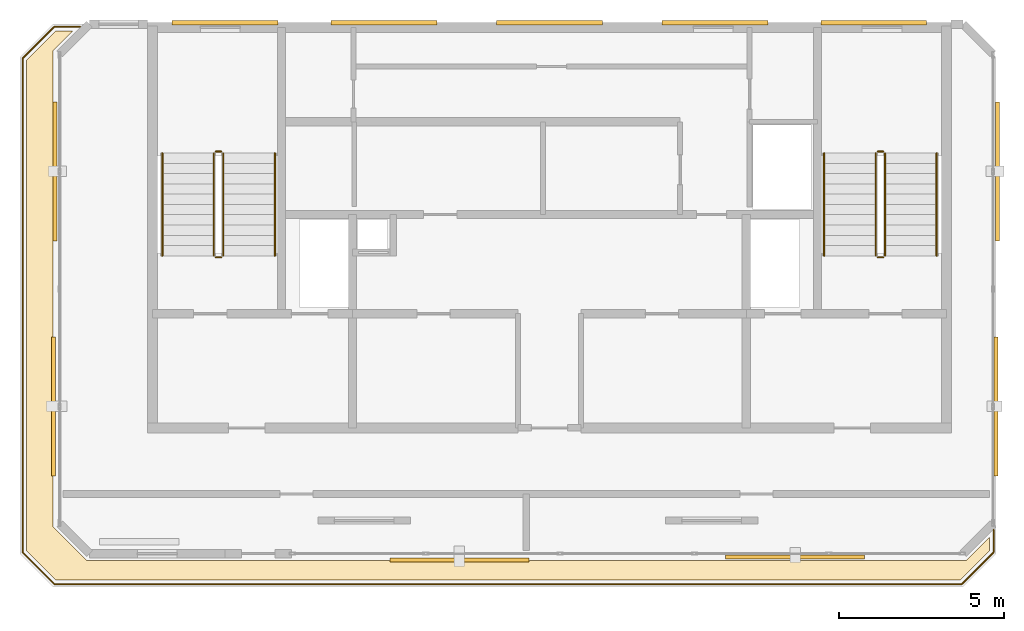
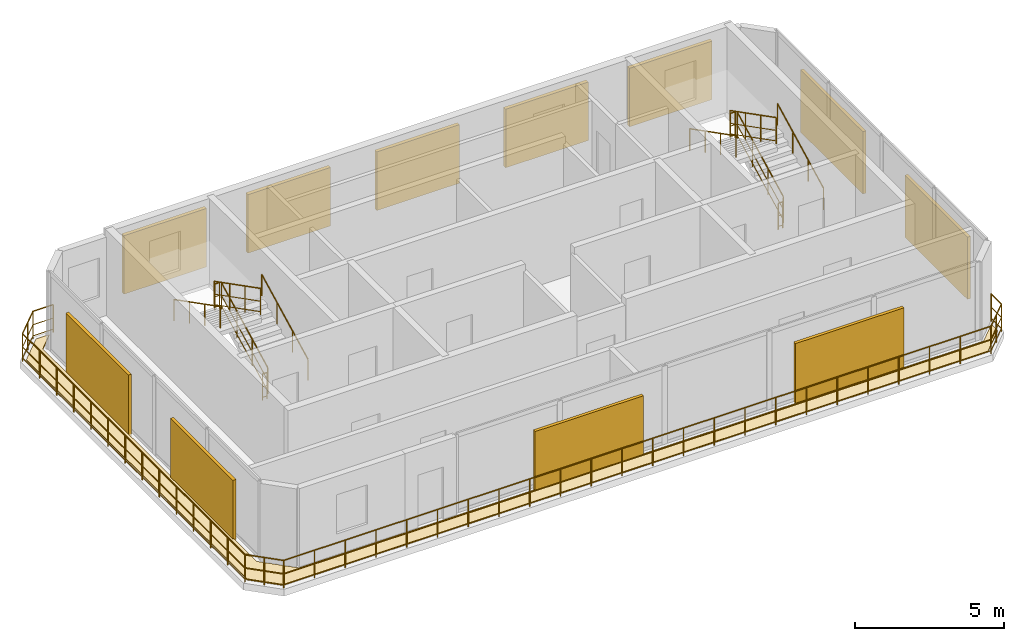
# One storey, part 7 of 7: 14 railings, 11 shading devices, 1 covering.
"""IFC4 building model written with IfcOpenShell, lengths in metres."""

import ifcopenshell
import ifcopenshell.guid

model = None  # the IFC model being written
_history = None  # IfcOwnerHistory: only IFC2X3 demands one
_inside = {}  # id of a spatial element -> (the spatial element, [elements in it])
_under = {}  # id of a project, library or spatial element -> (it, [spatial elements below it])
_declared = {}  # id of a project -> (the project, [libraries it declares])
_typed = {}  # id of a type object -> (the type object, [elements of that type])
_made_of = {}  # id of a material, layer set ... -> (it, [elements and type objects made of it])


def new_model(schema):
    """Start an empty IFC model of exactly this schema.

    Asked for "IFC4X3", IfcOpenShell would pick the latest addendum, in which some entities
    have other attributes; the version numbers below select the first issue.
    IFC2X3 requires an IfcOwnerHistory on every rooted entity: one is made here for all.
    """
    global model, _history
    if schema == "IFC4X3":
        model = ifcopenshell.file(schema_version=(4, 3, 0, 0))
    else:
        model = ifcopenshell.file(schema=schema)
    _inside.clear()
    _under.clear()
    _declared.clear()
    _typed.clear()
    _made_of.clear()
    _history = None
    if model.schema == "IFC2X3":
        org = make("IfcOrganization", Name="unknown")
        user = make(
            "IfcPersonAndOrganization",
            ThePerson=make("IfcPerson", FamilyName="unknown"),
            TheOrganization=org,
        )
        app = make(
            "IfcApplication",
            ApplicationDeveloper=org,
            Version="unknown",
            ApplicationFullName="unknown",
            ApplicationIdentifier="unknown",
        )
        _history = make(
            "IfcOwnerHistory",
            OwningUser=user,
            OwningApplication=app,
            ChangeAction="ADDED",
            CreationDate=0,
        )
    return model


def make(cls, **values):
    """One entity of the class cls with the attributes given. An attribute that is None is left unset."""
    return model.create_entity(
        cls, **{name: value for name, value in values.items() if value is not None}
    )


def rooted(cls, **values):
    """An entity with a GlobalId (a new one), such as an element, a storey or a relation."""
    return make(cls, GlobalId=ifcopenshell.guid.new(), OwnerHistory=_history, **values)


def si_unit(unit_type, name, prefix=None):
    """IfcSIUnit, for example si_unit("LENGTHUNIT", "METRE", prefix="MILLI")."""
    return make("IfcSIUnit", UnitType=unit_type, Prefix=prefix, Name=name)


def assignment(units):
    """IfcUnitAssignment: the units of a project."""
    return None if units is None else make("IfcUnitAssignment", Units=units)


def point(xyz):
    """IfcCartesianPoint."""
    return None if xyz is None else make("IfcCartesianPoint", Coordinates=xyz)


def direction(xyz):
    """IfcDirection."""
    return None if xyz is None else make("IfcDirection", DirectionRatios=xyz)


def frame(location, z_axis=None, x_axis=None):
    """IfcAxis2Placement3D, a coordinate frame: its origin and axes. An axis left out is left unset."""
    return make(
        "IfcAxis2Placement3D",
        Location=point(location),
        Axis=direction(z_axis),
        RefDirection=direction(x_axis),
    )


def frame_2d(location, x_axis=None):
    """IfcAxis2Placement2D, a coordinate frame in the plane: its origin and x axis."""
    return make(
        "IfcAxis2Placement2D", Location=point(location), RefDirection=direction(x_axis)
    )


def origin():
    """The frame at (0, 0, 0) with its axes left unset."""
    return frame((0.0, 0.0, 0.0))


def origin_2d():
    """The frame at (0, 0) in the plane with its x axis left unset."""
    return frame_2d((0.0, 0.0))


def place(relative_to, where):
    """IfcLocalPlacement: puts the frame where relative to a parent placement (None: the world)."""
    return make(
        "IfcLocalPlacement", PlacementRelTo=relative_to, RelativePlacement=where
    )


def context(
    kind, dimensions, precision=None, world=None, true_north=None, identifier=None
):
    """IfcGeometricRepresentationContext, for example the 3D "Model" context."""
    return make(
        "IfcGeometricRepresentationContext",
        ContextIdentifier=identifier,
        ContextType=kind,
        CoordinateSpaceDimension=dimensions,
        Precision=precision,
        WorldCoordinateSystem=world,
        TrueNorth=true_north,
    )


def subcontext(parent, identifier, kind, view, scale=None):
    """IfcGeometricRepresentationSubContext, for example "Body" below "Model"."""
    return make(
        "IfcGeometricRepresentationSubContext",
        ContextIdentifier=identifier,
        ContextType=kind,
        ParentContext=parent,
        TargetScale=scale,
        TargetView=view,
    )


def project(units=None, contexts=None):
    """IfcProject with its units and contexts."""
    return rooted(
        "IfcProject",
        Name="project",
        RepresentationContexts=contexts,
        UnitsInContext=assignment(units),
    )


def spatial(cls, under=None, at=None, **own):
    """A site, building, storey or space (cls), placed at a placement, below another one or the project."""
    s = rooted(cls, ObjectPlacement=at, **own)
    if under is not None:
        _under.setdefault(under.id(), (under, []))[1].append(s)
    return s


def polyline(points):
    """IfcPolyline through the points."""
    return make("IfcPolyline", Points=[point(p) for p in points])


def profile(cls, at=None, kind="AREA", **sizes):
    """A parametric profile (cls). Its sizes go by their IFC names, for example OverallWidth=200.0."""
    return make(cls, ProfileType=kind, Position=at, **sizes)


def rectangle(**sizes):
    """IfcRectangleProfileDef."""
    return profile("IfcRectangleProfileDef", **sizes)


def circle(**sizes):
    """IfcCircleProfileDef."""
    return profile("IfcCircleProfileDef", **sizes)


def outline(outer, holes=None, kind="AREA"):
    """IfcArbitraryClosedProfileDef: a profile drawn as a closed curve; with holes, ...WithVoids."""
    if holes is None:
        return make("IfcArbitraryClosedProfileDef", ProfileType=kind, OuterCurve=outer)
    return make(
        "IfcArbitraryProfileDefWithVoids",
        ProfileType=kind,
        OuterCurve=outer,
        InnerCurves=holes,
    )


def extrude(swept, where, along, depth):
    """IfcExtrudedAreaSolid: the profile swept, set in the frame where, extruded along a direction by depth."""
    return make(
        "IfcExtrudedAreaSolid",
        SweptArea=swept,
        Position=where,
        ExtrudedDirection=direction(along),
        Depth=depth,
    )


def shape(context_of_items, identifier, shape_type, items):
    """IfcShapeRepresentation: the items that make up one representation, for example the "Body"."""
    return make(
        "IfcShapeRepresentation",
        ContextOfItems=context_of_items,
        RepresentationIdentifier=identifier,
        RepresentationType=shape_type,
        Items=items,
    )


def material(Name=None, Category=None):
    """IfcMaterial."""
    return make("IfcMaterial", Name=Name, Category=Category)


def layer(
    of_material, thickness, ventilated=None, Name=None, Category=None, Priority=None
):
    """IfcMaterialLayer: one layer of a wall or slab, of a material (None: an air gap)."""
    return make(
        "IfcMaterialLayer",
        Material=of_material,
        LayerThickness=thickness,
        IsVentilated=ventilated,
        Name=Name,
        Category=Category,
        Priority=Priority,
    )


def layer_set(layers, Name=None):
    """IfcMaterialLayerSet."""
    return make("IfcMaterialLayerSet", MaterialLayers=layers, LayerSetName=Name)


def made_of(thing, what):
    """Note that an element or type object is made of a material, layer set ...; save() writes the relation."""
    if what is not None:
        _made_of.setdefault(what.id(), (what, []))[1].append(thing)
    return thing


def type_object(cls, material=None, **own):
    """A type object (cls), such as IfcWallType, which elements share."""
    return made_of(rooted(cls, **own), material)


def element(
    cls,
    number,
    at=None,
    inside=None,
    cuts=None,
    type_object=None,
    material=None,
    context=None,
    identifier="Body",
    shape_type=None,
    held_by="IfcProductDefinitionShape",
    body=None,
    shapes=None,
    **own,
):
    """One element of the class cls, such as IfcWall. Its Tag is "e" and its number.

    at: its placement. inside: the storey or other place that contains it. cuts: it is an
    opening in that element (IfcRelVoidsElement). A single representation is given by context,
    identifier, shape_type and body (its items); several are given by shapes. held_by: the class
    of the entity that holds the representations. save() writes the other relations.
    """
    e = rooted(cls, Tag="e%d" % number, ObjectPlacement=at, **own)
    if body is not None:
        shapes = [shape(context, identifier, shape_type, body)]
    if shapes is not None:
        e.Representation = make(held_by, Representations=shapes)
    if inside is not None:
        _inside.setdefault(inside.id(), (inside, []))[1].append(e)
    if cuts is not None:
        rooted(
            "IfcRelVoidsElement", RelatingBuildingElement=cuts, RelatedOpeningElement=e
        )
    if type_object is not None:
        _typed.setdefault(type_object.id(), (type_object, []))[1].append(e)
    return made_of(e, material)


def aggregate(whole, parts):
    """IfcRelAggregates: a whole, such as a stair, and the parts it consists of."""
    return rooted("IfcRelAggregates", RelatingObject=whole, RelatedObjects=parts)


def save(model, path):
    """Write the relations noted so far, then the file.

    IfcRelAggregates (storeys below a building ...), IfcRelContainedInSpatialStructure (elements
    in a storey), IfcRelDefinesByType, IfcRelAssociatesMaterial and IfcRelDeclares: one each for
    every whole, place, type object, material and project.
    """
    for whole, parts in _under.values():
        aggregate(whole, parts)
    for where, things in _inside.values():
        rooted(
            "IfcRelContainedInSpatialStructure",
            RelatedElements=things,
            RelatingStructure=where,
        )
    for kind, things in _typed.values():
        rooted("IfcRelDefinesByType", RelatedObjects=things, RelatingType=kind)
    for what, things in _made_of.values():
        rooted("IfcRelAssociatesMaterial", RelatedObjects=things, RelatingMaterial=what)
    for by, libraries in _declared.values():
        rooted("IfcRelDeclares", RelatingContext=by, RelatedDefinitions=libraries)
    model.write(path)


model = new_model("IFC4")

# Units and contexts
model_context = context("Model", 3, precision=1e-05, world=origin(), true_north=direction((0.0, 1.0)))
body_context = subcontext(model_context, "Body", "Model", "MODEL_VIEW")
ifc_project = project(units=[si_unit("LENGTHUNIT", "METRE"), si_unit("AREAUNIT", "SQUARE_METRE"), si_unit("VOLUMEUNIT", "CUBIC_METRE"), si_unit("PLANEANGLEUNIT", "RADIAN"), si_unit("MASSUNIT", "GRAM", prefix="KILO")], contexts=[model_context])

# Site, building, storey
site_placement = place(None, origin())
site = spatial("IfcSite", under=ifc_project, at=site_placement, CompositionType="ELEMENT")
building_placement = place(site_placement, origin())
building = spatial("IfcBuilding", under=site, at=building_placement, Name="Catumbela Crestline Tower", CompositionType="ELEMENT")
storey_placement = place(building_placement, frame((0.0, 0.0, 308.0)))
storey = spatial("IfcBuildingStorey", under=building, at=storey_placement, Name="L79", CompositionType="ELEMENT", Elevation=308.0)

# Covering
ifc_material_1 = material(Name="Polymer-modified bitumen and XPS roof membrane")
ifc_layer = layer(ifc_material_1, 0.05, Name="Polymer-modified bitumen and XPS roof membrane")
ifc_layer_set = layer_set([ifc_layer], Name="Polymer-modified bitumen and XPS roof membrane")
covering_type = type_object("IfcCoveringType", Name="CR-MEM", PredefinedType="ROOFING", material=ifc_layer_set)
covering_placement = place(storey_placement, origin())
element("IfcCovering", 1, at=covering_placement, inside=storey, type_object=covering_type, Name="L79 Crown Terrace Waterproofing Membrane 3", PredefinedType="ROOFING", context=body_context, shape_type="SweptSolid", body=[
    extrude(outline(polyline([(41.3, 27.0828), (40.4172, 26.2), (13.0828, 26.2), (12.2, 27.0828), (12.2, 41.9172), (13.0828, 42.8), (13.603, 42.8), (12.99, 42.187), (12.99, 27.813), (14.013, 26.79), (40.587, 26.79), (41.3, 27.503), (41.3, 27.0828)])), origin(), (0.0, 0.0, 1.0), 0.05),
])

# Railings
ifc_material_2 = material(Name="Stainless steel EN 1.4401", Category="steel")
railing_type_1 = type_object("IfcRailingType", Name="RG-1100", PredefinedType="GUARDRAIL", material=ifc_material_2)
railing_1_placement = place(storey_placement, frame((18.14, 36.0, 0.1591)))
element("IfcRailing", 2, at=railing_1_placement, inside=storey, type_object=railing_type_1, Name="L79 ST-01 stair guard 1", PredefinedType="GUARDRAIL", context=body_context, shape_type="SweptSolid", body=[
    extrude(circle(Radius=0.024, at=origin_2d()), frame((0.0, 0.0, 1.076), z_axis=(0.0, 0.889682666616, 0.456579404619), x_axis=(-1.0, 0.0, 0.0)), (0.0, 0.0, 1.0), 3.4844),
    extrude(circle(Radius=0.0156, at=origin_2d()), frame((0.0, 0.0, 0.55), z_axis=(0.0, 0.889682666616, 0.456579404619), x_axis=(-1.0, 0.0, 0.0)), (0.0, 0.0, 1.0), 3.4844),
    extrude(circle(Radius=0.0156, at=origin_2d()), frame((0.0, 0.0, 0.12), z_axis=(0.0, 0.889682666616, 0.456579404619), x_axis=(-1.0, 0.0, 0.0)), (0.0, 0.0, 1.0), 3.4844),
    extrude(circle(Radius=0.021, at=origin_2d()), origin(), (0.0, 0.0, 1.0), 1.052),
    extrude(circle(Radius=0.021, at=origin_2d()), frame((0.0, 1.0333, 0.5303)), (0.0, 0.0, 1.0), 1.052),
    extrude(circle(Radius=0.021, at=origin_2d()), frame((0.0, 2.0667, 1.0606)), (0.0, 0.0, 1.0), 1.052),
    extrude(circle(Radius=0.021, at=origin_2d()), frame((0.0, 3.1, 1.5909)), (0.0, 0.0, 1.0), 1.052),
])
railing_2_placement = place(storey_placement, frame((18.09, 39.15, 1.75)))
element("IfcRailing", 3, at=railing_2_placement, inside=storey, type_object=railing_type_1, Name="L79 ST-01 stair guard 2", PredefinedType="GUARDRAIL", context=body_context, shape_type="SweptSolid", body=[
    extrude(circle(Radius=0.024, at=origin_2d()), frame((0.0, 0.0, 1.076), z_axis=(-1.0, 0.0, 0.0), x_axis=(0.0, -1.0, 0.0)), (0.0, 0.0, 1.0), 0.18),
    extrude(circle(Radius=0.0156, at=origin_2d()), frame((0.0, 0.0, 0.55), z_axis=(-1.0, 0.0, 0.0), x_axis=(0.0, -1.0, 0.0)), (0.0, 0.0, 1.0), 0.18),
    extrude(circle(Radius=0.0156, at=origin_2d()), frame((0.0, 0.0, 0.12), z_axis=(-1.0, 0.0, 0.0), x_axis=(0.0, -1.0, 0.0)), (0.0, 0.0, 1.0), 0.18),
    extrude(circle(Radius=0.021, at=origin_2d()), origin(), (0.0, 0.0, 1.0), 1.052),
    extrude(circle(Radius=0.021, at=origin_2d()), frame((-0.18, 0.0, 0.0)), (0.0, 0.0, 1.0), 1.052),
])
railing_3_placement = place(storey_placement, frame((17.86, 39.1, 1.9091)))
element("IfcRailing", 4, at=railing_3_placement, inside=storey, type_object=railing_type_1, Name="L79 ST-01 stair guard 3", PredefinedType="GUARDRAIL", context=body_context, shape_type="SweptSolid", body=[
    extrude(circle(Radius=0.024, at=origin_2d()), frame((0.0, 0.0, 1.076), z_axis=(0.0, -0.889682666616, 0.456579404619), x_axis=(1.0, 0.0, 0.0)), (0.0, 0.0, 1.0), 3.4844),
    extrude(circle(Radius=0.0156, at=origin_2d()), frame((0.0, 0.0, 0.55), z_axis=(0.0, -0.889682666616, 0.456579404619), x_axis=(1.0, 0.0, 0.0)), (0.0, 0.0, 1.0), 3.4844),
    extrude(circle(Radius=0.0156, at=origin_2d()), frame((0.0, 0.0, 0.12), z_axis=(0.0, -0.889682666616, 0.456579404619), x_axis=(1.0, 0.0, 0.0)), (0.0, 0.0, 1.0), 3.4844),
    extrude(circle(Radius=0.021, at=origin_2d()), origin(), (0.0, 0.0, 1.0), 1.052),
    extrude(circle(Radius=0.021, at=origin_2d()), frame((0.0, -1.0333, 0.5303)), (0.0, 0.0, 1.0), 1.052),
    extrude(circle(Radius=0.021, at=origin_2d()), frame((0.0, -2.0667, 1.0606)), (0.0, 0.0, 1.0), 1.052),
    extrude(circle(Radius=0.021, at=origin_2d()), frame((0.0, -3.1, 1.5909)), (0.0, 0.0, 1.0), 1.052),
])
railing_4_placement = place(storey_placement, frame((18.09, 35.95, 0.0)))
element("IfcRailing", 5, at=railing_4_placement, inside=storey, type_object=railing_type_1, Name="L79 ST-01 stair guard 4", PredefinedType="GUARDRAIL", context=body_context, shape_type="SweptSolid", body=[
    extrude(circle(Radius=0.024, at=origin_2d()), frame((0.0, 0.0, 1.076), z_axis=(-1.0, 0.0, 0.0), x_axis=(0.0, -1.0, 0.0)), (0.0, 0.0, 1.0), 0.18),
    extrude(circle(Radius=0.0156, at=origin_2d()), frame((0.0, 0.0, 0.55), z_axis=(-1.0, 0.0, 0.0), x_axis=(0.0, -1.0, 0.0)), (0.0, 0.0, 1.0), 0.18),
    extrude(circle(Radius=0.0156, at=origin_2d()), frame((0.0, 0.0, 0.12), z_axis=(-1.0, 0.0, 0.0), x_axis=(0.0, -1.0, 0.0)), (0.0, 0.0, 1.0), 0.18),
    extrude(circle(Radius=0.021, at=origin_2d()), origin(), (0.0, 0.0, 1.0), 1.052),
    extrude(circle(Radius=0.021, at=origin_2d()), frame((-0.18, 0.0, 0.0)), (0.0, 0.0, 1.0), 1.052),
])
railing_5_placement = place(storey_placement, frame((38.14, 36.0, 0.1591)))
element("IfcRailing", 6, at=railing_5_placement, inside=storey, type_object=railing_type_1, Name="L79 ST-02 stair guard 1", PredefinedType="GUARDRAIL", context=body_context, shape_type="SweptSolid", body=[
    extrude(circle(Radius=0.024, at=origin_2d()), frame((0.0, 0.0, 1.076), z_axis=(0.0, 0.889682666616, 0.456579404619), x_axis=(-1.0, 0.0, 0.0)), (0.0, 0.0, 1.0), 3.4844),
    extrude(circle(Radius=0.0156, at=origin_2d()), frame((0.0, 0.0, 0.55), z_axis=(0.0, 0.889682666616, 0.456579404619), x_axis=(-1.0, 0.0, 0.0)), (0.0, 0.0, 1.0), 3.4844),
    extrude(circle(Radius=0.0156, at=origin_2d()), frame((0.0, 0.0, 0.12), z_axis=(0.0, 0.889682666616, 0.456579404619), x_axis=(-1.0, 0.0, 0.0)), (0.0, 0.0, 1.0), 3.4844),
    extrude(circle(Radius=0.021, at=origin_2d()), origin(), (0.0, 0.0, 1.0), 1.052),
    extrude(circle(Radius=0.021, at=origin_2d()), frame((0.0, 1.0333, 0.5303)), (0.0, 0.0, 1.0), 1.052),
    extrude(circle(Radius=0.021, at=origin_2d()), frame((0.0, 2.0667, 1.0606)), (0.0, 0.0, 1.0), 1.052),
    extrude(circle(Radius=0.021, at=origin_2d()), frame((0.0, 3.1, 1.5909)), (0.0, 0.0, 1.0), 1.052),
])
railing_6_placement = place(storey_placement, frame((38.09, 39.15, 1.75)))
element("IfcRailing", 7, at=railing_6_placement, inside=storey, type_object=railing_type_1, Name="L79 ST-02 stair guard 2", PredefinedType="GUARDRAIL", context=body_context, shape_type="SweptSolid", body=[
    extrude(circle(Radius=0.024, at=origin_2d()), frame((0.0, 0.0, 1.076), z_axis=(-1.0, 0.0, 0.0), x_axis=(0.0, -1.0, 0.0)), (0.0, 0.0, 1.0), 0.18),
    extrude(circle(Radius=0.0156, at=origin_2d()), frame((0.0, 0.0, 0.55), z_axis=(-1.0, 0.0, 0.0), x_axis=(0.0, -1.0, 0.0)), (0.0, 0.0, 1.0), 0.18),
    extrude(circle(Radius=0.0156, at=origin_2d()), frame((0.0, 0.0, 0.12), z_axis=(-1.0, 0.0, 0.0), x_axis=(0.0, -1.0, 0.0)), (0.0, 0.0, 1.0), 0.18),
    extrude(circle(Radius=0.021, at=origin_2d()), origin(), (0.0, 0.0, 1.0), 1.052),
    extrude(circle(Radius=0.021, at=origin_2d()), frame((-0.18, 0.0, 0.0)), (0.0, 0.0, 1.0), 1.052),
])
railing_7_placement = place(storey_placement, frame((37.86, 39.1, 1.9091)))
element("IfcRailing", 8, at=railing_7_placement, inside=storey, type_object=railing_type_1, Name="L79 ST-02 stair guard 3", PredefinedType="GUARDRAIL", context=body_context, shape_type="SweptSolid", body=[
    extrude(circle(Radius=0.024, at=origin_2d()), frame((0.0, 0.0, 1.076), z_axis=(0.0, -0.889682666616, 0.456579404619), x_axis=(1.0, 0.0, 0.0)), (0.0, 0.0, 1.0), 3.4844),
    extrude(circle(Radius=0.0156, at=origin_2d()), frame((0.0, 0.0, 0.55), z_axis=(0.0, -0.889682666616, 0.456579404619), x_axis=(1.0, 0.0, 0.0)), (0.0, 0.0, 1.0), 3.4844),
    extrude(circle(Radius=0.0156, at=origin_2d()), frame((0.0, 0.0, 0.12), z_axis=(0.0, -0.889682666616, 0.456579404619), x_axis=(1.0, 0.0, 0.0)), (0.0, 0.0, 1.0), 3.4844),
    extrude(circle(Radius=0.021, at=origin_2d()), origin(), (0.0, 0.0, 1.0), 1.052),
    extrude(circle(Radius=0.021, at=origin_2d()), frame((0.0, -1.0333, 0.5303)), (0.0, 0.0, 1.0), 1.052),
    extrude(circle(Radius=0.021, at=origin_2d()), frame((0.0, -2.0667, 1.0606)), (0.0, 0.0, 1.0), 1.052),
    extrude(circle(Radius=0.021, at=origin_2d()), frame((0.0, -3.1, 1.5909)), (0.0, 0.0, 1.0), 1.052),
])
railing_8_placement = place(storey_placement, frame((38.09, 35.95, 0.0)))
element("IfcRailing", 9, at=railing_8_placement, inside=storey, type_object=railing_type_1, Name="L79 ST-02 stair guard 4", PredefinedType="GUARDRAIL", context=body_context, shape_type="SweptSolid", body=[
    extrude(circle(Radius=0.024, at=origin_2d()), frame((0.0, 0.0, 1.076), z_axis=(-1.0, 0.0, 0.0), x_axis=(0.0, -1.0, 0.0)), (0.0, 0.0, 1.0), 0.18),
    extrude(circle(Radius=0.0156, at=origin_2d()), frame((0.0, 0.0, 0.55), z_axis=(-1.0, 0.0, 0.0), x_axis=(0.0, -1.0, 0.0)), (0.0, 0.0, 1.0), 0.18),
    extrude(circle(Radius=0.0156, at=origin_2d()), frame((0.0, 0.0, 0.12), z_axis=(-1.0, 0.0, 0.0), x_axis=(0.0, -1.0, 0.0)), (0.0, 0.0, 1.0), 0.18),
    extrude(circle(Radius=0.021, at=origin_2d()), origin(), (0.0, 0.0, 1.0), 1.052),
    extrude(circle(Radius=0.021, at=origin_2d()), frame((-0.18, 0.0, 0.0)), (0.0, 0.0, 1.0), 1.052),
])
railing_type_2 = type_object("IfcRailingType", Name="RH-0900", PredefinedType="HANDRAIL", material=ifc_material_2)
railing_9_placement = place(storey_placement, frame((19.7, 36.0, 0.1591)))
element("IfcRailing", 10, at=railing_9_placement, inside=storey, type_object=railing_type_2, Name="L79 ST-01 stair handrail 1", PredefinedType="HANDRAIL", context=body_context, shape_type="SweptSolid", body=[
    extrude(circle(Radius=0.024, at=origin_2d()), frame((0.0, 0.0, 0.876), z_axis=(0.0, 0.889682666616, 0.456579404619), x_axis=(-1.0, 0.0, 0.0)), (0.0, 0.0, 1.0), 3.4844),
    extrude(circle(Radius=0.021, at=origin_2d()), origin(), (0.0, 0.0, 1.0), 0.852),
    extrude(circle(Radius=0.021, at=origin_2d()), frame((0.0, 1.0333, 0.5303)), (0.0, 0.0, 1.0), 0.852),
    extrude(circle(Radius=0.021, at=origin_2d()), frame((0.0, 2.0667, 1.0606)), (0.0, 0.0, 1.0), 0.852),
    extrude(circle(Radius=0.021, at=origin_2d()), frame((0.0, 3.1, 1.5909)), (0.0, 0.0, 1.0), 0.852),
])
railing_10_placement = place(storey_placement, frame((16.3, 39.1, 1.9091)))
element("IfcRailing", 11, at=railing_10_placement, inside=storey, type_object=railing_type_2, Name="L79 ST-01 stair handrail 2", PredefinedType="HANDRAIL", context=body_context, shape_type="SweptSolid", body=[
    extrude(circle(Radius=0.024, at=origin_2d()), frame((0.0, 0.0, 0.876), z_axis=(0.0, -0.889682666616, 0.456579404619), x_axis=(1.0, 0.0, 0.0)), (0.0, 0.0, 1.0), 3.4844),
    extrude(circle(Radius=0.021, at=origin_2d()), origin(), (0.0, 0.0, 1.0), 0.852),
    extrude(circle(Radius=0.021, at=origin_2d()), frame((0.0, -1.0333, 0.5303)), (0.0, 0.0, 1.0), 0.852),
    extrude(circle(Radius=0.021, at=origin_2d()), frame((0.0, -2.0667, 1.0606)), (0.0, 0.0, 1.0), 0.852),
    extrude(circle(Radius=0.021, at=origin_2d()), frame((0.0, -3.1, 1.5909)), (0.0, 0.0, 1.0), 0.852),
])
railing_11_placement = place(storey_placement, frame((39.7, 36.0, 0.1591)))
element("IfcRailing", 12, at=railing_11_placement, inside=storey, type_object=railing_type_2, Name="L79 ST-02 stair handrail 1", PredefinedType="HANDRAIL", context=body_context, shape_type="SweptSolid", body=[
    extrude(circle(Radius=0.024, at=origin_2d()), frame((0.0, 0.0, 0.876), z_axis=(0.0, 0.889682666616, 0.456579404619), x_axis=(-1.0, 0.0, 0.0)), (0.0, 0.0, 1.0), 3.4844),
    extrude(circle(Radius=0.021, at=origin_2d()), origin(), (0.0, 0.0, 1.0), 0.852),
    extrude(circle(Radius=0.021, at=origin_2d()), frame((0.0, 1.0333, 0.5303)), (0.0, 0.0, 1.0), 0.852),
    extrude(circle(Radius=0.021, at=origin_2d()), frame((0.0, 2.0667, 1.0606)), (0.0, 0.0, 1.0), 0.852),
    extrude(circle(Radius=0.021, at=origin_2d()), frame((0.0, 3.1, 1.5909)), (0.0, 0.0, 1.0), 0.852),
])
railing_12_placement = place(storey_placement, frame((36.3, 39.1, 1.9091)))
element("IfcRailing", 13, at=railing_12_placement, inside=storey, type_object=railing_type_2, Name="L79 ST-02 stair handrail 2", PredefinedType="HANDRAIL", context=body_context, shape_type="SweptSolid", body=[
    extrude(circle(Radius=0.024, at=origin_2d()), frame((0.0, 0.0, 0.876), z_axis=(0.0, -0.889682666616, 0.456579404619), x_axis=(1.0, 0.0, 0.0)), (0.0, 0.0, 1.0), 3.4844),
    extrude(circle(Radius=0.021, at=origin_2d()), origin(), (0.0, 0.0, 1.0), 0.852),
    extrude(circle(Radius=0.021, at=origin_2d()), frame((0.0, -1.0333, 0.5303)), (0.0, 0.0, 1.0), 0.852),
    extrude(circle(Radius=0.021, at=origin_2d()), frame((0.0, -2.0667, 1.0606)), (0.0, 0.0, 1.0), 0.852),
    extrude(circle(Radius=0.021, at=origin_2d()), frame((0.0, -3.1, 1.5909)), (0.0, 0.0, 1.0), 0.852),
])
railing_type_3 = type_object("IfcRailingType", Name="RT-1150", PredefinedType="BALUSTRADE", material=ifc_material_2)
railing_13_placement = place(storey_placement, frame((41.42, 27.0331, 0.0)))
element("IfcRailing", 14, at=railing_13_placement, inside=storey, type_object=railing_type_3, Name="L79 Stepped Terrace Balustrade 1-1", PredefinedType="BALUSTRADE", context=body_context, shape_type="SweptSolid", body=[
    extrude(circle(Radius=0.024, at=origin_2d()), frame((0.0, 0.0, 1.126), z_axis=(-0.707106781187, -0.707106781187, 0.0), x_axis=(0.707106781187, -0.707106781187, 0.0)), (0.0, 0.0, 1.0), 1.3479),
    extrude(circle(Radius=0.0156, at=origin_2d()), frame((0.0, 0.0, 0.575), z_axis=(-0.707106781187, -0.707106781187, 0.0), x_axis=(0.707106781187, -0.707106781187, 0.0)), (0.0, 0.0, 1.0), 1.3479),
    extrude(circle(Radius=0.0156, at=origin_2d()), frame((0.0, 0.0, 0.12), z_axis=(-0.707106781187, -0.707106781187, 0.0), x_axis=(0.707106781187, -0.707106781187, 0.0)), (0.0, 0.0, 1.0), 1.3479),
    extrude(circle(Radius=0.024, at=origin_2d()), frame((-0.9531, -0.9531, 1.126), z_axis=(-1.0, 0.0, 0.0), x_axis=(0.0, -1.0, 0.0)), (0.0, 0.0, 1.0), 27.4338),
    extrude(circle(Radius=0.0156, at=origin_2d()), frame((-0.9531, -0.9531, 0.575), z_axis=(-1.0, 0.0, 0.0), x_axis=(0.0, -1.0, 0.0)), (0.0, 0.0, 1.0), 27.4338),
    extrude(circle(Radius=0.0156, at=origin_2d()), frame((-0.9531, -0.9531, 0.12), z_axis=(-1.0, 0.0, 0.0), x_axis=(0.0, -1.0, 0.0)), (0.0, 0.0, 1.0), 27.4338),
    extrude(circle(Radius=0.024, at=origin_2d()), frame((-28.3869, -0.9531, 1.126), z_axis=(-0.707106781187, 0.707106781187, 0.0), x_axis=(-0.707106781187, -0.707106781187, 0.0)), (0.0, 0.0, 1.0), 1.3479),
    extrude(circle(Radius=0.0156, at=origin_2d()), frame((-28.3869, -0.9531, 0.575), z_axis=(-0.707106781187, 0.707106781187, 0.0), x_axis=(-0.707106781187, -0.707106781187, 0.0)), (0.0, 0.0, 1.0), 1.3479),
    extrude(circle(Radius=0.0156, at=origin_2d()), frame((-28.3869, -0.9531, 0.12), z_axis=(-0.707106781187, 0.707106781187, 0.0), x_axis=(-0.707106781187, -0.707106781187, 0.0)), (0.0, 0.0, 1.0), 1.3479),
    extrude(circle(Radius=0.024, at=origin_2d()), frame((-29.34, 0.0, 1.126), z_axis=(0.0, 1.0, 0.0), x_axis=(-1.0, 0.0, 0.0)), (0.0, 0.0, 1.0), 14.9338),
    extrude(circle(Radius=0.0156, at=origin_2d()), frame((-29.34, 0.0, 0.575), z_axis=(0.0, 1.0, 0.0), x_axis=(-1.0, 0.0, 0.0)), (0.0, 0.0, 1.0), 14.9338),
    extrude(circle(Radius=0.0156, at=origin_2d()), frame((-29.34, 0.0, 0.12), z_axis=(0.0, 1.0, 0.0), x_axis=(-1.0, 0.0, 0.0)), (0.0, 0.0, 1.0), 14.9338),
    extrude(circle(Radius=0.024, at=origin_2d()), frame((-29.34, 14.9338, 1.126), z_axis=(0.707106781187, 0.707106781187, 0.0), x_axis=(-0.707106781187, 0.707106781187, 0.0)), (0.0, 0.0, 1.0), 1.3479),
    extrude(circle(Radius=0.0156, at=origin_2d()), frame((-29.34, 14.9338, 0.575), z_axis=(0.707106781187, 0.707106781187, 0.0), x_axis=(-0.707106781187, 0.707106781187, 0.0)), (0.0, 0.0, 1.0), 1.3479),
    extrude(circle(Radius=0.0156, at=origin_2d()), frame((-29.34, 14.9338, 0.12), z_axis=(0.707106781187, 0.707106781187, 0.0), x_axis=(-0.707106781187, 0.707106781187, 0.0)), (0.0, 0.0, 1.0), 1.3479),
    extrude(circle(Radius=0.024, at=origin_2d()), frame((-28.3869, 15.8869, 1.126), z_axis=(1.0, 0.0, 0.0), x_axis=(0.0, 1.0, 0.0)), (0.0, 0.0, 1.0), 0.7889),
    extrude(circle(Radius=0.0156, at=origin_2d()), frame((-28.3869, 15.8869, 0.575), z_axis=(1.0, 0.0, 0.0), x_axis=(0.0, 1.0, 0.0)), (0.0, 0.0, 1.0), 0.7889),
    extrude(circle(Radius=0.0156, at=origin_2d()), frame((-28.3869, 15.8869, 0.12), z_axis=(1.0, 0.0, 0.0), x_axis=(0.0, 1.0, 0.0)), (0.0, 0.0, 1.0), 0.7889),
    extrude(circle(Radius=0.021, at=origin_2d()), origin(), (0.0, 0.0, 1.0), 1.102),
    extrude(circle(Radius=0.021, at=origin_2d()), frame((-0.4765, -0.4766, 0.0)), (0.0, 0.0, 1.0), 1.102),
    extrude(circle(Radius=0.021, at=origin_2d()), frame((-0.9531, -0.9531, 0.0)), (0.0, 0.0, 1.0), 1.102),
    extrude(circle(Radius=0.021, at=origin_2d()), frame((-2.1459, -0.9531, 0.0)), (0.0, 0.0, 1.0), 1.102),
    extrude(circle(Radius=0.021, at=origin_2d()), frame((-3.3386, -0.9531, 0.0)), (0.0, 0.0, 1.0), 1.102),
    extrude(circle(Radius=0.021, at=origin_2d()), frame((-4.5314, -0.9531, 0.0)), (0.0, 0.0, 1.0), 1.102),
    extrude(circle(Radius=0.021, at=origin_2d()), frame((-5.7242, -0.9531, 0.0)), (0.0, 0.0, 1.0), 1.102),
    extrude(circle(Radius=0.021, at=origin_2d()), frame((-6.917, -0.9531, 0.0)), (0.0, 0.0, 1.0), 1.102),
    extrude(circle(Radius=0.021, at=origin_2d()), frame((-8.1097, -0.9531, 0.0)), (0.0, 0.0, 1.0), 1.102),
    extrude(circle(Radius=0.021, at=origin_2d()), frame((-9.3025, -0.9531, 0.0)), (0.0, 0.0, 1.0), 1.102),
    extrude(circle(Radius=0.021, at=origin_2d()), frame((-10.4953, -0.9531, 0.0)), (0.0, 0.0, 1.0), 1.102),
    extrude(circle(Radius=0.021, at=origin_2d()), frame((-11.6881, -0.9531, 0.0)), (0.0, 0.0, 1.0), 1.102),
    extrude(circle(Radius=0.021, at=origin_2d()), frame((-12.8808, -0.9531, 0.0)), (0.0, 0.0, 1.0), 1.102),
    extrude(circle(Radius=0.021, at=origin_2d()), frame((-14.0736, -0.9531, 0.0)), (0.0, 0.0, 1.0), 1.102),
    extrude(circle(Radius=0.021, at=origin_2d()), frame((-15.2664, -0.9531, 0.0)), (0.0, 0.0, 1.0), 1.102),
    extrude(circle(Radius=0.021, at=origin_2d()), frame((-16.4592, -0.9531, 0.0)), (0.0, 0.0, 1.0), 1.102),
    extrude(circle(Radius=0.021, at=origin_2d()), frame((-17.6519, -0.9531, 0.0)), (0.0, 0.0, 1.0), 1.102),
    extrude(circle(Radius=0.021, at=origin_2d()), frame((-18.8447, -0.9531, 0.0)), (0.0, 0.0, 1.0), 1.102),
    extrude(circle(Radius=0.021, at=origin_2d()), frame((-20.0375, -0.9531, 0.0)), (0.0, 0.0, 1.0), 1.102),
    extrude(circle(Radius=0.021, at=origin_2d()), frame((-21.2303, -0.9531, 0.0)), (0.0, 0.0, 1.0), 1.102),
    extrude(circle(Radius=0.021, at=origin_2d()), frame((-22.423, -0.9531, 0.0)), (0.0, 0.0, 1.0), 1.102),
    extrude(circle(Radius=0.021, at=origin_2d()), frame((-23.6158, -0.9531, 0.0)), (0.0, 0.0, 1.0), 1.102),
    extrude(circle(Radius=0.021, at=origin_2d()), frame((-24.8086, -0.9531, 0.0)), (0.0, 0.0, 1.0), 1.102),
    extrude(circle(Radius=0.021, at=origin_2d()), frame((-26.0014, -0.9531, 0.0)), (0.0, 0.0, 1.0), 1.102),
    extrude(circle(Radius=0.021, at=origin_2d()), frame((-27.1941, -0.9531, 0.0)), (0.0, 0.0, 1.0), 1.102),
    extrude(circle(Radius=0.021, at=origin_2d()), frame((-28.3869, -0.9531, 0.0)), (0.0, 0.0, 1.0), 1.102),
    extrude(circle(Radius=0.021, at=origin_2d()), frame((-28.8635, -0.4766, 0.0)), (0.0, 0.0, 1.0), 1.102),
    extrude(circle(Radius=0.021, at=origin_2d()), frame((-29.34, 0.0, 0.0)), (0.0, 0.0, 1.0), 1.102),
    extrude(circle(Radius=0.021, at=origin_2d()), frame((-29.34, 1.1488, 0.0)), (0.0, 0.0, 1.0), 1.102),
    extrude(circle(Radius=0.021, at=origin_2d()), frame((-29.34, 2.2975, 0.0)), (0.0, 0.0, 1.0), 1.102),
    extrude(circle(Radius=0.021, at=origin_2d()), frame((-29.34, 3.4463, 0.0)), (0.0, 0.0, 1.0), 1.102),
    extrude(circle(Radius=0.021, at=origin_2d()), frame((-29.34, 4.595, 0.0)), (0.0, 0.0, 1.0), 1.102),
    extrude(circle(Radius=0.021, at=origin_2d()), frame((-29.34, 5.7438, 0.0)), (0.0, 0.0, 1.0), 1.102),
    extrude(circle(Radius=0.021, at=origin_2d()), frame((-29.34, 6.8925, 0.0)), (0.0, 0.0, 1.0), 1.102),
    extrude(circle(Radius=0.021, at=origin_2d()), frame((-29.34, 8.0413, 0.0)), (0.0, 0.0, 1.0), 1.102),
    extrude(circle(Radius=0.021, at=origin_2d()), frame((-29.34, 9.19, 0.0)), (0.0, 0.0, 1.0), 1.102),
    extrude(circle(Radius=0.021, at=origin_2d()), frame((-29.34, 10.3388, 0.0)), (0.0, 0.0, 1.0), 1.102),
    extrude(circle(Radius=0.021, at=origin_2d()), frame((-29.34, 11.4875, 0.0)), (0.0, 0.0, 1.0), 1.102),
    extrude(circle(Radius=0.021, at=origin_2d()), frame((-29.34, 12.6363, 0.0)), (0.0, 0.0, 1.0), 1.102),
    extrude(circle(Radius=0.021, at=origin_2d()), frame((-29.34, 13.785, 0.0)), (0.0, 0.0, 1.0), 1.102),
    extrude(circle(Radius=0.021, at=origin_2d()), frame((-29.34, 14.9338, 0.0)), (0.0, 0.0, 1.0), 1.102),
    extrude(circle(Radius=0.021, at=origin_2d()), frame((-28.8635, 15.4104, 0.0)), (0.0, 0.0, 1.0), 1.102),
    extrude(circle(Radius=0.021, at=origin_2d()), frame((-28.3869, 15.8869, 0.0)), (0.0, 0.0, 1.0), 1.102),
    extrude(circle(Radius=0.021, at=origin_2d()), frame((-27.598, 15.8869, 0.0)), (0.0, 0.0, 1.0), 1.102),
])
railing_14_placement = place(storey_placement, frame((41.42, 27.722, 0.0)))
element("IfcRailing", 15, at=railing_14_placement, inside=storey, type_object=railing_type_3, Name="L79 Stepped Terrace Balustrade 1-2", PredefinedType="BALUSTRADE", context=body_context, shape_type="SweptSolid", body=[
    extrude(circle(Radius=0.024, at=origin_2d()), frame((0.0, 0.0, 1.126), z_axis=(0.0, -1.0, 0.0), x_axis=(1.0, 0.0, 0.0)), (0.0, 0.0, 1.0), 0.6889),
    extrude(circle(Radius=0.0156, at=origin_2d()), frame((0.0, 0.0, 0.575), z_axis=(0.0, -1.0, 0.0), x_axis=(1.0, 0.0, 0.0)), (0.0, 0.0, 1.0), 0.6889),
    extrude(circle(Radius=0.0156, at=origin_2d()), frame((0.0, 0.0, 0.12), z_axis=(0.0, -1.0, 0.0), x_axis=(1.0, 0.0, 0.0)), (0.0, 0.0, 1.0), 0.6889),
    extrude(circle(Radius=0.021, at=origin_2d()), origin(), (0.0, 0.0, 1.0), 1.102),
    extrude(circle(Radius=0.021, at=origin_2d()), frame((0.0, -0.6889, 0.0)), (0.0, 0.0, 1.0), 1.102),
])

# Shading devices
ifc_material_3 = material(Name="Extruded terracotta ceramic", Category="masonry")
shading_device_type_1 = type_object("IfcShadingDeviceType", Name="ST-180", PredefinedType="USERDEFINED", material=ifc_material_3)
shading_device_placement = place(storey_placement, frame((23.0, 43.04, 0.55), z_axis=(0.0, 0.0, 1.0), x_axis=(1.0, 0.0, 0.0)))
element("IfcShadingDevice", 16, at=shading_device_placement, inside=storey, type_object=shading_device_type_1, Name="L79 Rear Core Terracotta Brise-Soleil Screen 950", ObjectType="SCREEN", PredefinedType="USERDEFINED", context=body_context, shape_type="SweptSolid", body=[
    extrude(rectangle(XDim=3.2, YDim=0.14, at=origin_2d()), origin(), (0.0, 0.0, 1.0), 2.4),
])
for number, where, z_axis, x_axis, name in (
    (17, (35.425, 26.901, -0.1), (0.0, 0.0, 1.0), (1.0, 0.0, 0.0), "L79 Perforated Terracotta Solar Screen 955 (180 mm)"),
    (18, (41.499, 31.45, -0.1), (0.0, 0.0, 1.0), (0.0, 1.0, 0.0), "L79 Perforated Terracotta Solar Screen 956 (180 mm)"),
):
    element("IfcShadingDevice", number, at=place(storey_placement, frame(where, z_axis=z_axis, x_axis=x_axis)), inside=storey, type_object=shading_device_type_1, Name=name, ObjectType="SCREEN", PredefinedType="USERDEFINED", context=body_context, shape_type="SweptSolid", body=[
        extrude(rectangle(XDim=4.2, YDim=0.12, at=origin_2d()), origin(), (0.0, 0.0, 1.0), 2.55),
    ])
shading_device_type_2 = type_object("IfcShadingDeviceType", Name="ST-260", PredefinedType="USERDEFINED", material=ifc_material_3)
for number, where, z_axis, x_axis, name in (
    (19, (18.2, 43.04, 0.55), (0.0, 0.0, 1.0), (1.0, 0.0, 0.0), "L79 Rear Core Terracotta Brise-Soleil Screen 949"),
    (20, (33.0, 43.04, 0.55), (0.0, 0.0, 1.0), (1.0, 0.0, 0.0), "L79 Rear Core Terracotta Brise-Soleil Screen 952"),
):
    element("IfcShadingDevice", number, at=place(storey_placement, frame(where, z_axis=z_axis, x_axis=x_axis)), inside=storey, type_object=shading_device_type_2, Name=name, ObjectType="SCREEN", PredefinedType="USERDEFINED", context=body_context, shape_type="SweptSolid", body=[
        extrude(rectangle(XDim=3.2, YDim=0.14, at=origin_2d()), origin(), (0.0, 0.0, 1.0), 2.4),
    ])
for number, where, z_axis, x_axis, name in (
    (21, (41.543, 38.55, -0.1), (0.0, 0.0, 1.0), (0.0, 1.0, 0.0), "L79 Perforated Terracotta Solar Screen 957 (260 mm)"),
    (22, (13.057, 38.55, -0.1), (0.0, 0.0, 1.0), (0.0, -1.0, 0.0), "L79 Perforated Terracotta Solar Screen 958 (260 mm)"),
):
    element("IfcShadingDevice", number, at=place(storey_placement, frame(where, z_axis=z_axis, x_axis=x_axis)), inside=storey, type_object=shading_device_type_2, Name=name, ObjectType="SCREEN", PredefinedType="USERDEFINED", context=body_context, shape_type="SweptSolid", body=[
        extrude(rectangle(XDim=4.2, YDim=0.12, at=origin_2d()), origin(), (0.0, 0.0, 1.0), 2.55),
    ])
shading_device_type_3 = type_object("IfcShadingDeviceType", Name="ST-340", PredefinedType="USERDEFINED", material=ifc_material_3)
for number, where, z_axis, x_axis, name in (
    (23, (28.0, 43.04, 0.55), (0.0, 0.0, 1.0), (1.0, 0.0, 0.0), "L79 Rear Core Terracotta Brise-Soleil Screen 951"),
    (24, (37.8, 43.04, 0.55), (0.0, 0.0, 1.0), (1.0, 0.0, 0.0), "L79 Rear Core Terracotta Brise-Soleil Screen 953"),
):
    element("IfcShadingDevice", number, at=place(storey_placement, frame(where, z_axis=z_axis, x_axis=x_axis)), inside=storey, type_object=shading_device_type_3, Name=name, ObjectType="SCREEN", PredefinedType="USERDEFINED", context=body_context, shape_type="SweptSolid", body=[
        extrude(rectangle(XDim=3.2, YDim=0.14, at=origin_2d()), origin(), (0.0, 0.0, 1.0), 2.4),
    ])
for number, where, z_axis, x_axis, name in (
    (25, (25.275, 26.813, -0.1), (0.0, 0.0, 1.0), (1.0, 0.0, 0.0), "L79 Perforated Terracotta Solar Screen 954 (340 mm)"),
    (26, (13.013, 31.45, -0.1), (0.0, 0.0, 1.0), (0.0, -1.0, 0.0), "L79 Perforated Terracotta Solar Screen 959 (340 mm)"),
):
    element("IfcShadingDevice", number, at=place(storey_placement, frame(where, z_axis=z_axis, x_axis=x_axis)), inside=storey, type_object=shading_device_type_3, Name=name, ObjectType="SCREEN", PredefinedType="USERDEFINED", context=body_context, shape_type="SweptSolid", body=[
        extrude(rectangle(XDim=4.2, YDim=0.12, at=origin_2d()), origin(), (0.0, 0.0, 1.0), 2.55),
    ])

save(model, "model.ifc")
